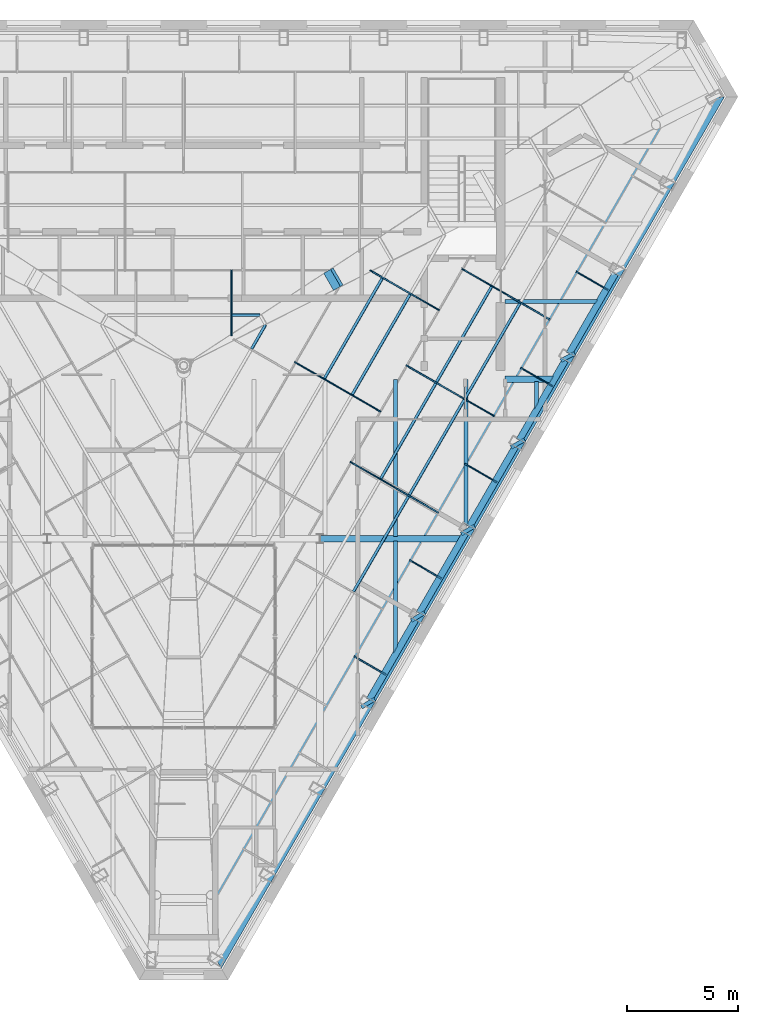
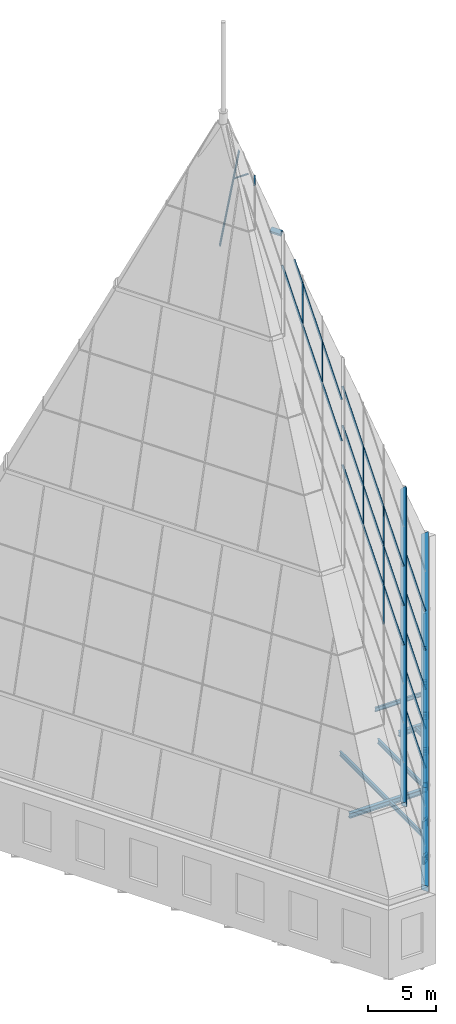
# One storey, part 20 of 36: 23 members, 22 beams, 6 elements without a shape of their own.
"""IFC4 building model written with IfcOpenShell, lengths in metres."""

from ifc_helpers import new_model, si_unit, direction, frame, origin, origin_2d, place, context, subcontext, project, spatial, rectangle, hollow_rectangle, i_section, extrude, clip, halfspace, material, layer, layer_set, material_profile, profile_set, type_object, element, aggregate, save


model = new_model("IFC4")

# Units and contexts
model_context = context("Model", 3, precision=1e-05, world=origin(), true_north=direction((0.0, 1.0)))
body_context = subcontext(model_context, "Body", "Model", "MODEL_VIEW")
ifc_project = project(units=[si_unit("LENGTHUNIT", "METRE"), si_unit("AREAUNIT", "SQUARE_METRE"), si_unit("VOLUMEUNIT", "CUBIC_METRE"), si_unit("PLANEANGLEUNIT", "RADIAN"), si_unit("MASSUNIT", "GRAM", prefix="KILO")], contexts=[model_context])

# Site, building, storey
site_placement = place(None, origin())
site = spatial("IfcSite", under=ifc_project, at=site_placement, CompositionType="ELEMENT")
building_placement = place(site_placement, origin())
building = spatial("IfcBuilding", under=site, at=building_placement, Name="Njiva Tower", CompositionType="ELEMENT")
storey_placement = place(building_placement, frame((0.0, 0.0, 337.8)))
storey = spatial("IfcBuildingStorey", under=building, at=storey_placement, Name="L77", CompositionType="ELEMENT", Elevation=337.8)

# Beams
ifc_material_1 = material(Name="Steel S355 J2", Category="steel")
ifc_material_profile_1 = material_profile(ifc_material_1, hollow_rectangle(XDim=0.7, YDim=0.7, WallThickness=0.08, at=origin_2d()), Name="BOX 700x700x80")
ifc_profile_set_1 = profile_set([ifc_material_profile_1], Name="Steel S355 J2")
beam_type_1 = type_object("IfcBeamType", Name="B19 Column jog beam BOX 700x700x80", PredefinedType="BEAM", material=ifc_profile_set_1)
beam_1_placement = place(storey_placement, frame((8.359, -10.687, -0.55), z_axis=(-0.519580604718, 0.85442143887, 0.0), x_axis=(-0.85442143887, -0.519580604718, 0.0)))
element("IfcBeam", 1, at=beam_1_placement, inside=storey, type_object=beam_type_1, Name="Column jog beam CR-B027", PredefinedType="BEAM", context=body_context, shape_type="SweptSolid", body=[
    extrude(hollow_rectangle(XDim=0.7, YDim=0.7, WallThickness=0.08, at=origin_2d()), origin(), (0.0, 0.0, 1.0), 0.1732),
])
for number, where, z_axis, x_axis, name in (
    (2, (10.612, -6.785, -0.55), (-0.511983827129, 0.858995087738, 0.0), (-0.858995087738, -0.511983827129, 0.0), "Column jog beam CR-B028"),
    (3, (12.866, -2.882, -0.55), (-0.511983827129, 0.858995087738, 0.0), (-0.858995087738, -0.511983827129, 0.0), "Column jog beam CR-B029"),
):
    element("IfcBeam", number, at=place(storey_placement, frame(where, z_axis=z_axis, x_axis=x_axis)), inside=storey, type_object=beam_type_1, Name=name, PredefinedType="BEAM", context=body_context, shape_type="SweptSolid", body=[
        extrude(hollow_rectangle(XDim=0.7, YDim=0.7, WallThickness=0.08, at=origin_2d()), origin(), (0.0, 0.0, 1.0), 0.1758),
    ])
beam_2_placement = place(storey_placement, frame((15.117, 1.021, -0.55), z_axis=(-0.48807872801, 0.872799607736, 0.0), x_axis=(-0.872799607736, -0.48807872801, 0.0)))
element("IfcBeam", 4, at=beam_2_placement, inside=storey, type_object=beam_type_1, Name="Column jog beam CR-B030", PredefinedType="BEAM", context=body_context, shape_type="SweptSolid", body=[
    extrude(hollow_rectangle(XDim=0.7, YDim=0.7, WallThickness=0.08, at=origin_2d()), origin(), (0.0, 0.0, 1.0), 0.1742),
])
beam_3_placement = place(storey_placement, frame((17.369, 4.922, -0.55), z_axis=(-0.465278652081, 0.885164264935, 0.0), x_axis=(-0.885164264935, -0.465278652081, 0.0)))
element("IfcBeam", 5, at=beam_3_placement, inside=storey, type_object=beam_type_1, Name="Column jog beam CR-B031", PredefinedType="BEAM", context=body_context, shape_type="SweptSolid", body=[
    extrude(hollow_rectangle(XDim=0.7, YDim=0.7, WallThickness=0.08, at=origin_2d()), origin(), (0.0, 0.0, 1.0), 0.1762),
])
ifc_material_profile_2 = material_profile(ifc_material_1, i_section(OverallWidth=0.3, OverallDepth=0.44, WebThickness=0.0115, FlangeThickness=0.021, at=origin_2d()), Name="HEA 450")
ifc_profile_set_2 = profile_set([ifc_material_profile_2], Name="Steel S355 J2")
beam_type_2 = type_object("IfcBeamType", Name="B57 Short-span spandrel beam HEA 450", PredefinedType="SPANDREL", material=ifc_profile_set_2)
beam_4_placement = place(storey_placement, frame((8.374, -10.461, -0.42), z_axis=(0.500097243556, 0.865969252911, 0.0), x_axis=(-0.865969252911, 0.500097243556, 0.0)))
element("IfcBeam", 6, at=beam_4_placement, inside=storey, type_object=beam_type_2, Name="Short-span spandrel beam CR-B109", PredefinedType="SPANDREL", context=body_context, shape_type="SweptSolid", body=[
    extrude(i_section(OverallWidth=0.3, OverallDepth=0.44, WebThickness=0.0115, FlangeThickness=0.021, at=origin_2d()), origin(), (0.0, 0.0, 1.0), 4.1572),
])
for number, where, z_axis, x_axis, name in (
    (7, (10.628, -6.558, -0.42), (0.499916824138, 0.866073420066, 0.0), (-0.866073420066, 0.499916824138, 0.0), "Short-span spandrel beam CR-B111"),
    (8, (12.881, -2.655, -0.42), (0.499916824138, 0.866073420066, 0.0), (-0.866073420066, 0.499916824138, 0.0), "Short-span spandrel beam CR-B112"),
):
    element("IfcBeam", number, at=place(storey_placement, frame(where, z_axis=z_axis, x_axis=x_axis)), inside=storey, type_object=beam_type_2, Name=name, PredefinedType="SPANDREL", context=body_context, shape_type="SweptSolid", body=[
        extrude(i_section(OverallWidth=0.3, OverallDepth=0.44, WebThickness=0.0115, FlangeThickness=0.021, at=origin_2d()), origin(), (0.0, 0.0, 1.0), 4.1567),
    ])
beam_5_placement = place(storey_placement, frame((15.134, 1.248, -0.42), z_axis=(0.500021003115, 0.866013277291, 0.0), x_axis=(-0.866013277291, 0.500021003115, 0.0)))
element("IfcBeam", 9, at=beam_5_placement, inside=storey, type_object=beam_type_2, Name="Short-span spandrel beam CR-B114", PredefinedType="SPANDREL", context=body_context, shape_type="SweptSolid", body=[
    extrude(i_section(OverallWidth=0.3, OverallDepth=0.44, WebThickness=0.0115, FlangeThickness=0.021, at=origin_2d()), origin(), (0.0, 0.0, 1.0), 4.1558),
])
beam_6_placement = place(storey_placement, frame((17.387, 5.15, -0.42), z_axis=(0.49999308822, 0.866029394266, 0.0), x_axis=(-0.866029394266, 0.49999308822, 0.0)))
element("IfcBeam", 10, at=beam_6_placement, inside=storey, type_object=beam_type_2, Name="Short-span spandrel beam CR-B115", PredefinedType="SPANDREL", context=body_context, shape_type="SweptSolid", body=[
    extrude(i_section(OverallWidth=0.3, OverallDepth=0.44, WebThickness=0.0115, FlangeThickness=0.021, at=origin_2d()), origin(), (0.0, 0.0, 1.0), 4.1581),
])
ifc_material_profile_3 = material_profile(ifc_material_1, i_section(OverallWidth=0.3, OverallDepth=0.44, WebThickness=0.0115, FlangeThickness=0.021, at=origin_2d()), Name="HEA 450")
ifc_profile_set_3 = profile_set([ifc_material_profile_3], Name="Steel S355 J2")
beam_type_3 = type_object("IfcBeamType", Name="B58 Floor girder HEA 450", PredefinedType="BEAM", material=ifc_profile_set_3)
beam_7_placement = place(storey_placement, frame((6.15, -3.2, -0.42), z_axis=(1.0, 0.0, 0.0), x_axis=(0.0, 1.0, 0.0)))
element("IfcBeam", 11, at=beam_7_placement, inside=storey, type_object=beam_type_3, Name="Floor girder CR-B011", PredefinedType="BEAM", context=body_context, shape_type="Clipping", body=[
    clip(extrude(i_section(OverallWidth=0.3, OverallDepth=0.44, WebThickness=0.0115, FlangeThickness=0.021, at=origin_2d()), origin(), (0.0, 0.0, 1.0), 6.408), halfspace(frame((-0.025, 0.0, 6.2863), z_axis=(-0.499998009787, 0.0, 0.866026552831), x_axis=(0.0, 1.0, 0.0)), False)),
])
ifc_material_profile_4 = material_profile(ifc_material_1, i_section(OverallWidth=0.3, OverallDepth=0.44, WebThickness=0.0115, FlangeThickness=0.021, at=origin_2d()), Name="HEA 450")
ifc_profile_set_4 = profile_set([ifc_material_profile_4], Name="Steel S355 J2")
beam_type_4 = type_object("IfcBeamType", Name="B59 Short-span floor girder HEA 450", PredefinedType="BEAM", material=ifc_profile_set_4)
beam_8_placement = place(storey_placement, frame((14.5, 4.0, -0.42), z_axis=(1.0, 0.0, 0.0), x_axis=(0.0, 1.0, 0.0)))
element("IfcBeam", 12, at=beam_8_placement, inside=storey, type_object=beam_type_4, Name="Short-span floor girder CR-B012", PredefinedType="BEAM", context=body_context, shape_type="Clipping", body=[
    clip(extrude(i_section(OverallWidth=0.3, OverallDepth=0.44, WebThickness=0.0115, FlangeThickness=0.021, at=origin_2d()), origin(), (0.0, 0.0, 1.0), 2.215), halfspace(frame((-0.025, 0.0, 2.0933), z_axis=(-0.499998009787, 0.0, 0.866026552831), x_axis=(0.0, 1.0, 0.0)), False)),
])
ifc_material_profile_5 = material_profile(ifc_material_1, i_section(OverallWidth=0.17, OverallDepth=0.36, WebThickness=0.008, FlangeThickness=0.0127, at=origin_2d()), Name="IPE 360")
ifc_profile_set_5 = profile_set([ifc_material_profile_5], Name="Steel S355 J2")
beam_type_5 = type_object("IfcBeamType", Name="B60 Short-span floor beam to the core IPE 360", PredefinedType="BEAM", material=ifc_profile_set_5)
beam_9_placement = place(storey_placement, frame((14.5, 7.5, -0.38), z_axis=(1.0, 0.0, 0.0), x_axis=(0.0, 1.0, 0.0)))
element("IfcBeam", 13, at=beam_9_placement, inside=storey, type_object=beam_type_5, Name="Short-span floor beam to the core CR-B005", PredefinedType="BEAM", context=body_context, shape_type="Clipping", body=[
    clip(extrude(i_section(OverallWidth=0.17, OverallDepth=0.36, WebThickness=0.008, FlangeThickness=0.0127, at=origin_2d()), origin(), (0.0, 0.0, 1.0), 4.197), halfspace(frame((-0.025, 0.0, 4.114), z_axis=(-0.499998009787, 0.0, 0.866026552831), x_axis=(0.0, 1.0, 0.0)), False)),
])
ifc_material_profile_6 = material_profile(ifc_material_1, i_section(OverallWidth=0.18, OverallDepth=0.4, WebThickness=0.0086, FlangeThickness=0.0135, at=origin_2d()), Name="IPE 400")
ifc_profile_set_6 = profile_set([ifc_material_profile_6], Name="Steel S355 J2")
beam_type_6 = type_object("IfcBeamType", Name="B62 Short-span floor joist IPE 400", PredefinedType="JOIST", material=ifc_profile_set_6)
beam_10_placement = place(storey_placement, frame((15.917, 3.9, -0.4), z_axis=(0.0, -1.0, 0.0), x_axis=(1.0, 0.0, 0.0)))
element("IfcBeam", 14, at=beam_10_placement, inside=storey, type_object=beam_type_6, Name="Short-span floor joist CR-B049", PredefinedType="JOIST", context=body_context, shape_type="Clipping", body=[
    clip(extrude(i_section(OverallWidth=0.18, OverallDepth=0.4, WebThickness=0.0086, FlangeThickness=0.0135, at=origin_2d()), origin(), (0.0, 0.0, 1.0), 1.273), halfspace(frame((0.043, 0.0, 1.0219), z_axis=(0.866026552831, 0.0, 0.499998009787), x_axis=(0.0, 1.0, 0.0)), False)),
])
ifc_material_profile_7 = material_profile(ifc_material_1, i_section(OverallWidth=0.18, OverallDepth=0.4, WebThickness=0.0086, FlangeThickness=0.0135, at=origin_2d()), Name="IPE 400")
ifc_profile_set_7 = profile_set([ifc_material_profile_7], Name="Steel S355 J2")
beam_type_7 = type_object("IfcBeamType", Name="B63 Floor joist IPE 400", PredefinedType="JOIST", material=ifc_profile_set_7)
beam_11_placement = place(storey_placement, frame((9.55, 3.995, -0.4), z_axis=(0.0, -1.0, 0.0), x_axis=(1.0, 0.0, 0.0)))
element("IfcBeam", 15, at=beam_11_placement, inside=storey, type_object=beam_type_7, Name="Floor joist CR-B047", PredefinedType="JOIST", context=body_context, shape_type="SweptSolid", body=[
    extrude(i_section(OverallWidth=0.18, OverallDepth=0.4, WebThickness=0.0086, FlangeThickness=0.0135, at=origin_2d()), origin(), (0.0, 0.0, 1.0), 7.095),
])
beam_12_placement = place(storey_placement, frame((9.55, -3.3, -0.4), z_axis=(0.0, -1.0, 0.0), x_axis=(1.0, 0.0, 0.0)))
element("IfcBeam", 16, at=beam_12_placement, inside=storey, type_object=beam_type_7, Name="Floor joist CR-B046", PredefinedType="JOIST", context=body_context, shape_type="Clipping", body=[
    clip(extrude(i_section(OverallWidth=0.18, OverallDepth=0.4, WebThickness=0.0086, FlangeThickness=0.0135, at=origin_2d()), origin(), (0.0, 0.0, 1.0), 5.1), halfspace(frame((0.0433, 0.0, 4.8493), z_axis=(0.866026552831, 0.0, 0.499998009787), x_axis=(0.0, 1.0, 0.0)), False)),
])
beam_13_placement = place(storey_placement, frame((12.733, 3.995, -0.4), z_axis=(0.0, -1.0, 0.0), x_axis=(1.0, 0.0, 0.0)))
element("IfcBeam", 17, at=beam_13_placement, inside=storey, type_object=beam_type_7, Name="Floor joist CR-B048", PredefinedType="JOIST", context=body_context, shape_type="Clipping", body=[
    clip(extrude(i_section(OverallWidth=0.18, OverallDepth=0.4, WebThickness=0.0086, FlangeThickness=0.0135, at=origin_2d()), origin(), (0.0, 0.0, 1.0), 6.636), halfspace(frame((-0.0247, 0.0, 6.5498), z_axis=(-0.499998009787, 0.0, 0.866026552831), x_axis=(0.0, 1.0, 0.0)), False)),
])
ifc_material_profile_8 = material_profile(ifc_material_1, i_section(OverallWidth=0.3, OverallDepth=0.44, WebThickness=0.0115, FlangeThickness=0.021, at=origin_2d()), Name="HEA 450")
ifc_profile_set_8 = profile_set([ifc_material_profile_8], Name="Steel S355 J2")
beam_type_8 = type_object("IfcBeamType", Name="B64 Roof edge beam HEA 450", PredefinedType="SPANDREL", material=ifc_profile_set_8)
beam_14_placement = place(storey_placement, frame((8.374, -10.461, 5.48), z_axis=(0.500097243556, 0.865969252911, 0.0), x_axis=(-0.865969252911, 0.500097243556, 0.0)))
element("IfcBeam", 18, at=beam_14_placement, inside=storey, type_object=beam_type_8, Name="Roof edge beam CR-B076", PredefinedType="SPANDREL", context=body_context, shape_type="SweptSolid", body=[
    extrude(i_section(OverallWidth=0.3, OverallDepth=0.44, WebThickness=0.0115, FlangeThickness=0.021, at=origin_2d()), origin(), (0.0, 0.0, 1.0), 4.1572),
])
for number, where, z_axis, x_axis, name in (
    (19, (10.628, -6.558, 5.48), (0.499916824138, 0.866073420066, 0.0), (-0.866073420066, 0.499916824138, 0.0), "Roof edge beam CR-B078"),
    (20, (12.881, -2.655, 5.48), (0.499916824138, 0.866073420066, 0.0), (-0.866073420066, 0.499916824138, 0.0), "Roof edge beam CR-B079"),
):
    element("IfcBeam", number, at=place(storey_placement, frame(where, z_axis=z_axis, x_axis=x_axis)), inside=storey, type_object=beam_type_8, Name=name, PredefinedType="SPANDREL", context=body_context, shape_type="SweptSolid", body=[
        extrude(i_section(OverallWidth=0.3, OverallDepth=0.44, WebThickness=0.0115, FlangeThickness=0.021, at=origin_2d()), origin(), (0.0, 0.0, 1.0), 4.1567),
    ])
beam_15_placement = place(storey_placement, frame((15.134, 1.248, 5.48), z_axis=(0.500021003115, 0.866013277291, 0.0), x_axis=(-0.866013277291, 0.500021003115, 0.0)))
element("IfcBeam", 21, at=beam_15_placement, inside=storey, type_object=beam_type_8, Name="Roof edge beam CR-B081", PredefinedType="SPANDREL", context=body_context, shape_type="SweptSolid", body=[
    extrude(i_section(OverallWidth=0.3, OverallDepth=0.44, WebThickness=0.0115, FlangeThickness=0.021, at=origin_2d()), origin(), (0.0, 0.0, 1.0), 4.1558),
])
beam_16_placement = place(storey_placement, frame((17.387, 5.15, 5.48), z_axis=(0.49999308822, 0.866029394266, 0.0), x_axis=(-0.866029394266, 0.49999308822, 0.0)))
element("IfcBeam", 22, at=beam_16_placement, inside=storey, type_object=beam_type_8, Name="Roof edge beam CR-B082", PredefinedType="SPANDREL", context=body_context, shape_type="SweptSolid", body=[
    extrude(i_section(OverallWidth=0.3, OverallDepth=0.44, WebThickness=0.0115, FlangeThickness=0.021, at=origin_2d()), origin(), (0.0, 0.0, 1.0), 4.1581),
])

# Members
ifc_material_2 = material(Name="Steel S355 J2H", Category="steel")
ifc_material_profile_9 = material_profile(ifc_material_2, hollow_rectangle(XDim=0.55, YDim=0.5, WallThickness=0.016, at=origin_2d()), Name="BOX 500x550x16")
ifc_profile_set_9 = profile_set([ifc_material_profile_9], Name="Steel S355 J2H")
member_type_1 = type_object("IfcMemberType", Name="CF1 Crown frame base ring RHS 500x550x16", PredefinedType="USERDEFINED", material=ifc_profile_set_9)
member_1_placement = place(storey_placement, frame((1.2381, -22.8209, 6.25), z_axis=(0.499999368929, 0.866025768133, 0.0), x_axis=(-0.866025768133, 0.499999368929, 0.0)))
element("IfcMember", 23, at=member_1_placement, inside=storey, type_object=member_type_1, Name="Crown frame base ring", ObjectType="CROWN FRAME", PredefinedType="USERDEFINED", context=body_context, shape_type="Clipping", body=[
    clip(clip(extrude(hollow_rectangle(XDim=0.55, YDim=0.5, WallThickness=0.016, at=origin_2d()), origin(), (0.0, 0.0, 1.0), 46.2763), halfspace(frame((0.0, 0.0, 0.6), z_axis=(0.500000631164, 0.0, -0.866025039381), x_axis=(0.0, -1.0, 0.0)), False)), halfspace(frame((0.0, 0.0, 45.6763), z_axis=(0.499999368929, 0.0, 0.866025768133), x_axis=(0.0, 1.0, 0.0)), False)),
])
ifc_material_profile_10 = material_profile(ifc_material_2, hollow_rectangle(XDim=0.3, YDim=0.4, WallThickness=0.016, at=origin_2d()), Name="BOX 400x300x16")
ifc_profile_set_10 = profile_set([ifc_material_profile_10], Name="Steel S355 J2H")
member_type_2 = type_object("IfcMemberType", Name="CF3 Crown frame ring RHS 400x300x16", PredefinedType="USERDEFINED", material=ifc_profile_set_10)
member_2_placement = place(storey_placement, frame((1.0771, -20.0038, 12.1), z_axis=(0.500000571292, 0.866025073949, 0.0), x_axis=(-0.230733747528, 0.133214394191, 0.963854689739)))
element("IfcMember", 24, at=member_2_placement, inside=storey, type_object=member_type_2, Name="Crown frame ring", ObjectType="CROWN FRAME", PredefinedType="USERDEFINED", context=body_context, shape_type="Clipping", body=[
    clip(clip(extrude(hollow_rectangle(XDim=0.3, YDim=0.4, WallThickness=0.016, at=origin_2d()), origin(), (0.0, 0.0, 1.0), 41.558), halfspace(frame((0.0, 0.0, 0.6), z_axis=(0.331224305673, -0.474207706502, -0.815731273414), x_axis=(0.0, -0.864532358111, 0.502577160026)), False)), halfspace(frame((0.0, 0.0, 40.958), z_axis=(0.331224592283, -0.474208743406, 0.815730554254), x_axis=(0.0, 0.864531688113, 0.502578312552)), False)),
])

# Curtain wall, member
ifc_material_3 = material(Name="Glazed curtain wall", Category="glass")
ifc_layer_1 = layer(ifc_material_3, 0.16)
ifc_layer_set_1 = layer_set([ifc_layer_1], Name="Glazed curtain wall")
curtain_wall_type_1 = type_object("IfcCurtainWallType", Name="CW2 Crown glazing, faceted point, long faces", PredefinedType="NOTDEFINED", material=ifc_layer_set_1)
curtain_wall_1_placement = place(storey_placement, origin())
curtain_wall_1 = element("IfcCurtainWall", 25, at=curtain_wall_1_placement, inside=storey, type_object=curtain_wall_type_1, Name="Crown glazing face N tier 4", PredefinedType="NOTDEFINED")
ifc_material_4 = material(Name="Aluminium mullion", Category="aluminium")
ifc_material_profile_11 = material_profile(ifc_material_4, rectangle(XDim=0.16, YDim=0.06, at=origin_2d()), Name="RECT 160x60")
ifc_profile_set_11 = profile_set([ifc_material_profile_11], Name="Aluminium mullion")
member_type_3 = type_object("IfcMemberType", Name="CW2-M Crown glazing mullion 160x60", PredefinedType="MULLION", material=ifc_profile_set_11)
member_3_placement = place(storey_placement, frame((2.1563, 8.8561, 44.6446), z_axis=(0.0, -0.26643010552, 0.963854241508), x_axis=(0.0, 0.963854241508, 0.26643010552)))
member_3 = element("IfcMember", 26, at=member_3_placement, type_object=member_type_3, Name="CW2-14 mullion 1", PredefinedType="MULLION", context=body_context, shape_type="Clipping", body=[
    clip(clip(extrude(rectangle(XDim=0.16, YDim=0.06, at=origin_2d()), origin(), (0.0, 0.0, 1.0), 10.6208), halfspace(frame((0.08, 0.0, 0.0), z_axis=(-1.6824e-06, 0.0, -0.999999999999), x_axis=(0.0, -1.0, 0.0)), False)), halfspace(frame((0.08, 0.0, 10.6208), z_axis=(6.33082e-07, -0.926532402811, 0.376214973839), x_axis=(0.0, 0.37621497384, 0.926532402811)), False)),
])

# Curtain wall, members
curtain_wall_2_placement = place(storey_placement, origin())
curtain_wall_2 = element("IfcCurtainWall", 27, at=curtain_wall_2_placement, inside=storey, type_object=curtain_wall_type_1, Name="Crown glazing face SE tier 1", PredefinedType="NOTDEFINED")
member_4_placement = place(storey_placement, frame((9.0508, -9.2889, 6.5), z_axis=(-0.230725534082, 0.133216213108, 0.963856404496), x_axis=(0.834713535754, -0.481946554835, 0.266422280435)))
member_4 = element("IfcMember", 28, at=member_4_placement, type_object=member_type_3, Name="CW2-51 mullion 3", PredefinedType="MULLION", context=body_context, shape_type="Clipping", body=[
    clip(clip(extrude(rectangle(XDim=0.16, YDim=0.06, at=origin_2d()), origin(), (0.0, 0.0, 1.0), 5.66), halfspace(frame((0.08, 0.0, 0.0), z_axis=(6.4357e-06, 5.857625e-06, -0.999999999962), x_axis=(0.0, -0.999999999983, -5.857625e-06)), False)), halfspace(frame((0.08, 0.0, 5.66), z_axis=(-6.4357e-06, -5.857625e-06, 0.999999999962), x_axis=(0.0, 0.999999999983, 5.857625e-06)), False)),
])
member_5_placement = place(storey_placement, frame((11.5551, -4.9514, 6.5), z_axis=(-0.230742261373, 0.133215670042, 0.963852475264), x_axis=(0.834726112418, -0.481916913295, 0.266436495113)))
member_5 = element("IfcMember", 29, at=member_5_placement, type_object=member_type_3, Name="CW2-51 mullion 4", PredefinedType="MULLION", context=body_context, shape_type="Clipping", body=[
    clip(clip(extrude(rectangle(XDim=0.16, YDim=0.06, at=origin_2d()), origin(), (0.0, 0.0, 1.0), 5.66), halfspace(frame((0.08, 0.0, 0.0), z_axis=(-8.311998e-06, -2.976376e-06, -0.999999999961), x_axis=(0.0, -0.999999999996, 2.976376e-06)), False)), halfspace(frame((0.08, 0.0, 5.66), z_axis=(8.311998e-06, 2.976376e-06, 0.999999999961), x_axis=(0.0, 0.999999999996, -2.976376e-06)), False)),
])
member_6_placement = place(storey_placement, frame((14.0593, -0.614, 6.5), z_axis=(-0.230742261373, 0.133215670042, 0.963852475264), x_axis=(0.834726112418, -0.481916913295, 0.266436495113)))
member_6 = element("IfcMember", 30, at=member_6_placement, type_object=member_type_3, Name="CW2-51 mullion 5", PredefinedType="MULLION", context=body_context, shape_type="Clipping", body=[
    clip(clip(extrude(rectangle(XDim=0.16, YDim=0.06, at=origin_2d()), origin(), (0.0, 0.0, 1.0), 5.66), halfspace(frame((0.08, 0.0, 0.0), z_axis=(-8.311998e-06, -2.976376e-06, -0.999999999961), x_axis=(0.0, -0.999999999996, 2.976376e-06)), False)), halfspace(frame((0.08, 0.0001, 5.66), z_axis=(8.311998e-06, 2.976376e-06, 0.999999999961), x_axis=(0.0, 0.999999999996, -2.976376e-06)), False)),
])
member_7_placement = place(storey_placement, frame((16.5635, 3.7235, 6.5), z_axis=(-0.230725534082, 0.133216213108, 0.963856404496), x_axis=(0.834713535754, -0.481946554835, 0.266422280435)))
member_7 = element("IfcMember", 31, at=member_7_placement, type_object=member_type_3, Name="CW2-51 mullion 6", PredefinedType="MULLION", context=body_context, shape_type="Clipping", body=[
    clip(clip(extrude(rectangle(XDim=0.16, YDim=0.06, at=origin_2d()), origin(), (0.0, 0.0, 1.0), 5.66), halfspace(frame((0.08, 0.0, 0.0), z_axis=(6.4357e-06, 5.857625e-06, -0.999999999962), x_axis=(0.0, -0.999999999983, -5.857625e-06)), False)), halfspace(frame((0.08, 0.0, 5.66), z_axis=(-6.4357e-06, -5.857625e-06, 0.999999999962), x_axis=(0.0, 0.999999999983, 5.857625e-06)), False)),
])
member_8_placement = place(storey_placement, frame((19.0678, 8.061, 6.5), z_axis=(-0.230742261373, 0.133215670042, 0.963852475264), x_axis=(0.834726112418, -0.481916913295, 0.266436495113)))
member_8 = element("IfcMember", 32, at=member_8_placement, type_object=member_type_3, Name="CW2-51 mullion 7", PredefinedType="MULLION", context=body_context, shape_type="Clipping", body=[
    clip(clip(extrude(rectangle(XDim=0.16, YDim=0.06, at=origin_2d()), origin(), (0.0, 0.0, 1.0), 5.66), halfspace(frame((0.08, 0.0, 0.0), z_axis=(-8.311998e-06, -2.976376e-06, -0.999999999961), x_axis=(0.0, -0.999999999996, 2.976376e-06)), False)), halfspace(frame((0.08, 0.0, 5.66), z_axis=(8.311998e-06, 2.976376e-06, 0.999999999961), x_axis=(0.0, 0.999999999996, -2.976376e-06)), False)),
])
aggregate(curtain_wall_2, [member_4, member_5, member_6, member_7, member_8])

curtain_wall_3_placement = place(storey_placement, origin())
curtain_wall_3 = element("IfcCurtainWall", 33, at=curtain_wall_3_placement, inside=storey, type_object=curtain_wall_type_1, Name="Crown glazing face SE tier 2", PredefinedType="NOTDEFINED")
member_9_placement = place(storey_placement, frame((11.432, -1.9887, 12.2446), z_axis=(-0.230733479971, 0.133210041357, 0.963855355384), x_axis=(0.834729482161, -0.481916836928, 0.266426075859)))
member_9 = element("IfcMember", 34, at=member_9_placement, type_object=member_type_3, Name="CW2-52 mullion 4", PredefinedType="MULLION", context=body_context, shape_type="Clipping", body=[
    clip(clip(extrude(rectangle(XDim=0.16, YDim=0.06, at=origin_2d()), origin(), (0.0, 0.0, 1.0), 16.715), halfspace(frame((0.08, 0.0, 0.0), z_axis=(2.49799e-06, -3.46038e-06, -0.999999999991), x_axis=(0.0, -0.999999999994, 3.46038e-06)), False)), halfspace(frame((0.08, 0.0, 16.715), z_axis=(-2.49799e-06, 3.46038e-06, 0.999999999991), x_axis=(0.0, 0.999999999994, -3.46038e-06)), False)),
])
member_10_placement = place(storey_placement, frame((13.9468, 2.367, 12.2446), z_axis=(-0.23073914412, 0.133209857472, 0.963854024862), x_axis=(0.834733740382, -0.481906800025, 0.266430889269)))
member_10 = element("IfcMember", 35, at=member_10_placement, type_object=member_type_3, Name="CW2-52 mullion 5", PredefinedType="MULLION", context=body_context, shape_type="Clipping", body=[
    clip(clip(extrude(rectangle(XDim=0.16, YDim=0.06, at=origin_2d()), origin(), (0.0, 0.0, 1.0), 16.715), halfspace(frame((0.08, -0.0001, 0.0), z_axis=(-2.495981e-06, -6.451614e-06, -0.999999999976), x_axis=(0.0, -0.999999999979, 6.451614e-06)), False)), halfspace(frame((0.08, 0.0001, 16.715), z_axis=(2.495981e-06, 6.451614e-06, 0.999999999976), x_axis=(0.0, 0.999999999979, -6.451614e-06)), False)),
])
member_11_placement = place(storey_placement, frame((16.4615, 6.7227, 12.2446), z_axis=(-0.230733479971, 0.133210041357, 0.963855355384), x_axis=(0.834729482161, -0.481916836928, 0.266426075859)))
member_11 = element("IfcMember", 36, at=member_11_placement, type_object=member_type_3, Name="CW2-52 mullion 6", PredefinedType="MULLION", context=body_context, shape_type="Clipping", body=[
    clip(clip(extrude(rectangle(XDim=0.16, YDim=0.06, at=origin_2d()), origin(), (0.0, 0.0, 1.0), 16.715), halfspace(frame((0.08, 0.0, 0.0), z_axis=(2.49799e-06, -3.46038e-06, -0.999999999991), x_axis=(0.0, -0.999999999994, 3.46038e-06)), False)), halfspace(frame((0.08, 0.0, 16.715), z_axis=(-2.49799e-06, 3.46038e-06, 0.999999999991), x_axis=(0.0, 0.999999999994, -3.46038e-06)), False)),
])

curtain_wall_4_placement = place(storey_placement, origin())
curtain_wall_4 = element("IfcCurtainWall", 37, at=curtain_wall_4_placement, inside=storey, type_object=curtain_wall_type_1, Name="Crown glazing face SE tier 3", PredefinedType="NOTDEFINED")
member_12_placement = place(storey_placement, frame((8.827, 2.5658, 28.6446), z_axis=(-0.230736484816, 0.133214890489, 0.963853965872), x_axis=(0.834723400261, -0.481924592217, 0.266431102676)))
member_12 = element("IfcMember", 38, at=member_12_placement, type_object=member_type_3, Name="CW2-53 mullion 3", PredefinedType="MULLION", context=body_context, shape_type="Clipping", body=[
    clip(clip(extrude(rectangle(XDim=0.16, YDim=0.06, at=origin_2d()), origin(), (0.0, 0.0, 1.0), 16.3), halfspace(frame((0.08, 0.0, 0.0), z_axis=(-2.717316e-06, -7.63292e-07, -0.999999999996), x_axis=(0.0, -1.0, 7.63292e-07)), False)), halfspace(frame((0.08, 0.0, 16.3), z_axis=(2.717316e-06, 7.63292e-07, 0.999999999996), x_axis=(0.0, 1.0, -7.63292e-07)), False)),
])
member_13_placement = place(storey_placement, frame((11.4688, 7.1416, 28.6446), z_axis=(-0.230732980377, 0.133218632255, 0.963854287632), x_axis=(0.834714647889, -0.481940395056, 0.266429938659)))
member_13 = element("IfcMember", 39, at=member_13_placement, type_object=member_type_3, Name="CW2-53 mullion 4", PredefinedType="MULLION", context=body_context, shape_type="Clipping", body=[
    clip(clip(extrude(rectangle(XDim=0.16, YDim=0.06, at=origin_2d()), origin(), (0.0, 0.0, 1.0), 13.0124), halfspace(frame((0.08, 0.0, 0.0), z_axis=(-1.509678e-06, 4.229361e-06, -0.99999999999), x_axis=(0.0, -0.999999999991, -4.229361e-06)), False)), halfspace(frame((0.08, 0.0, 13.0125), z_axis=(-1.3609838e-05, 0.926530811354, 0.376218892968), x_axis=(0.0, 0.376218893003, -0.92653081144)), False)),
])

# Member
ifc_material_5 = material(Name="Aluminium transom", Category="aluminium")
ifc_material_profile_12 = material_profile(ifc_material_5, rectangle(XDim=0.12, YDim=0.06, at=origin_2d()), Name="RECT 120x60")
ifc_profile_set_12 = profile_set([ifc_material_profile_12], Name="Aluminium transom")
member_type_4 = type_object("IfcMemberType", Name="CW2-T Crown glazing transom 120x60", PredefinedType="USERDEFINED", material=ifc_profile_set_12)
member_14_placement = place(storey_placement, frame((3.4451, 6.8913, 51.8276), z_axis=(-1.0, 0.0, 0.0), x_axis=(0.0, 0.963854689739, 0.266428483965)))
member_14 = element("IfcMember", 40, at=member_14_placement, type_object=member_type_4, Name="CW2-14 transom 1.1", ObjectType="TRANSOM", PredefinedType="USERDEFINED", context=body_context, shape_type="Clipping", body=[
    clip(extrude(rectangle(XDim=0.12, YDim=0.06, at=origin_2d()), origin(), (0.0, 0.0, 1.0), 1.2588), halfspace(frame((0.06, 0.0, 0.0), z_axis=(1.51e-10, -0.37621497384, -0.926532402811), x_axis=(0.0, -0.926532402811, 0.37621497384)), False)),
])

aggregate(curtain_wall_1, [member_3, member_14])

member_15_placement = place(storey_placement, frame((7.6634, -5.5859, 17.6202), z_axis=(0.499984894652, 0.866034124685, 0.0), x_axis=(0.834731052552, -0.481912785509, 0.266428483965)))
member_15 = element("IfcMember", 41, at=member_15_placement, type_object=member_type_4, Name="CW2-52 transom 4.1", ObjectType="TRANSOM", PredefinedType="USERDEFINED", context=body_context, shape_type="SweptSolid", body=[
    extrude(rectangle(XDim=0.12, YDim=0.06, at=origin_2d()), origin(), (0.0, 0.0, 1.0), 4.9696),
])

member_16_placement = place(storey_placement, frame((10.1781, -1.2302, 17.6202), z_axis=(0.499999986638, 0.866025411499, 0.0), x_axis=(0.834722654306, -0.481927331991, 0.266428483965)))
member_16 = element("IfcMember", 42, at=member_16_placement, type_object=member_type_4, Name="CW2-52 transom 5.1", ObjectType="TRANSOM", PredefinedType="USERDEFINED", context=body_context, shape_type="SweptSolid", body=[
    extrude(rectangle(XDim=0.12, YDim=0.06, at=origin_2d()), origin(), (0.0, 0.0, 1.0), 4.9696),
])

member_17_placement = place(storey_placement, frame((12.6929, 3.1255, 17.6202), z_axis=(0.499984894652, 0.866034124685, 0.0), x_axis=(0.834731052552, -0.481912785509, 0.266428483965)))
member_17 = element("IfcMember", 43, at=member_17_placement, type_object=member_type_4, Name="CW2-52 transom 6.1", ObjectType="TRANSOM", PredefinedType="USERDEFINED", context=body_context, shape_type="SweptSolid", body=[
    extrude(rectangle(XDim=0.12, YDim=0.06, at=origin_2d()), origin(), (0.0, 0.0, 1.0), 4.9696),
])

member_18_placement = place(storey_placement, frame((8.8926, -0.4879, 22.9905), z_axis=(0.499993607921, 0.866029094221, 0.0), x_axis=(0.834726203916, -0.481921183835, 0.266428483965)))
member_18 = element("IfcMember", 44, at=member_18_placement, type_object=member_type_4, Name="CW2-52 transom 5.2", ObjectType="TRANSOM", PredefinedType="USERDEFINED", context=body_context, shape_type="SweptSolid", body=[
    extrude(rectangle(XDim=0.12, YDim=0.06, at=origin_2d()), origin(), (0.0, 0.0, 1.0), 4.9695),
])

member_19_placement = place(storey_placement, frame((11.4073, 3.8678, 22.9905), z_axis=(0.500008699995, 0.866020380782, 0.0), x_axis=(0.834717805426, -0.4819357304, 0.266428483965)))
member_19 = element("IfcMember", 45, at=member_19_placement, type_object=member_type_4, Name="CW2-52 transom 6.2", ObjectType="TRANSOM", PredefinedType="USERDEFINED", context=body_context, shape_type="SweptSolid", body=[
    extrude(rectangle(XDim=0.12, YDim=0.06, at=origin_2d()), origin(), (0.0, 0.0, 1.0), 4.9695),
])

aggregate(curtain_wall_3, [member_9, member_10, member_11, member_15, member_16, member_17, member_18, member_19])

member_20_placement = place(storey_placement, frame((7.605, 3.306, 33.8869), z_axis=(0.500011895634, 0.866018535728, 0.0), x_axis=(0.834716027067, -0.481938810534, 0.266428483949)))
member_20 = element("IfcMember", 46, at=member_20_placement, type_object=member_type_4, Name="CW2-53 transom 4.1", ObjectType="TRANSOM", PredefinedType="USERDEFINED", context=body_context, shape_type="SweptSolid", body=[
    extrude(rectangle(XDim=0.12, YDim=0.06, at=origin_2d()), origin(), (0.0, 0.0, 1.0), 5.2237),
])

member_21_placement = place(storey_placement, frame((6.3514, 4.0298, 39.1238), z_axis=(0.499997537949, 0.866026825245, 0.0), x_axis=(0.834724016957, -0.481924971813, 0.266428483949)))
member_21 = element("IfcMember", 47, at=member_21_placement, type_object=member_type_4, Name="CW2-53 transom 4.2", ObjectType="TRANSOM", PredefinedType="USERDEFINED", context=body_context, shape_type="SweptSolid", body=[
    extrude(rectangle(XDim=0.12, YDim=0.06, at=origin_2d()), origin(), (0.0, 0.0, 1.0), 5.2236),
])

aggregate(curtain_wall_4, [member_12, member_13, member_20, member_21])

# Curtain wall, member
curtain_wall_5_placement = place(storey_placement, origin())
curtain_wall_5 = element("IfcCurtainWall", 48, at=curtain_wall_5_placement, inside=storey, type_object=curtain_wall_type_1, Name="Crown glazing face SE tier 4", PredefinedType="NOTDEFINED")
member_22_placement = place(storey_placement, frame((3.0675, 5.365, 51.8276), z_axis=(0.499983756713, 0.866034781647, 0.0), x_axis=(0.834731685764, -0.481911688699, 0.266428483982)))
member_22 = element("IfcMember", 49, at=member_22_placement, type_object=member_type_4, Name="CW2-54 transom 3.1", ObjectType="TRANSOM", PredefinedType="USERDEFINED", context=body_context, shape_type="Clipping", body=[
    clip(extrude(rectangle(XDim=0.12, YDim=0.06, at=origin_2d()), origin(), (0.0, 0.0, 1.0), 1.2588), halfspace(frame((0.06, 0.0, 1.2588), z_axis=(1.6749442e-05, -0.376210344091, 0.926534282538), x_axis=(0.0, 0.926534282668, 0.376210344144)), False)),
])
aggregate(curtain_wall_5, [member_22])

ifc_layer_2 = layer(ifc_material_3, 0.16)
ifc_layer_set_2 = layer_set([ifc_layer_2], Name="Glazed curtain wall")
curtain_wall_type_2 = type_object("IfcCurtainWallType", Name="CW3 Crown glazing, faceted point, corner faces", PredefinedType="NOTDEFINED", material=ifc_layer_set_2)
curtain_wall_6_placement = place(storey_placement, origin())
curtain_wall_6 = element("IfcCurtainWall", 50, at=curtain_wall_6_placement, inside=storey, type_object=curtain_wall_type_2, Name="Crown glazing face NE tier 3", PredefinedType="NOTDEFINED")
ifc_material_profile_13 = material_profile(ifc_material_2, hollow_rectangle(XDim=0.3, YDim=0.4, WallThickness=0.016, at=origin_2d()), Name="BOX 400x300x16")
ifc_profile_set_13 = profile_set([ifc_material_profile_13], Name="Steel S355 J2H")
member_type_5 = type_object("IfcMemberType", Name="CW3-R Crown corner glazing ring RHS 400x300x16", PredefinedType="USERDEFINED", material=ifc_profile_set_13)
member_23_placement = place(storey_placement, frame((6.9754, 8.1242, 44.5), z_axis=(-0.500085043104, 0.865976298558, 0.0), x_axis=(-0.389158645978, -0.224731806831, 0.893337093856)))
member_23 = element("IfcMember", 51, at=member_23_placement, type_object=member_type_5, Name="Crown glazing ring", ObjectType="RING", PredefinedType="USERDEFINED", context=body_context, shape_type="SweptSolid", body=[
    extrude(hollow_rectangle(XDim=0.3, YDim=0.4, WallThickness=0.016, at=origin_2d()), origin(), (0.0, 0.0, 1.0), 0.8912),
])
aggregate(curtain_wall_6, [member_23])

save(model, "model.ifc")
